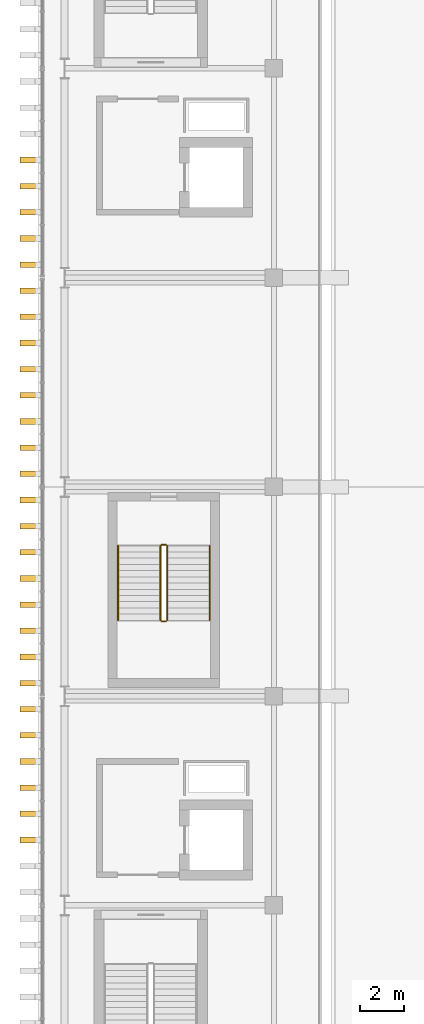
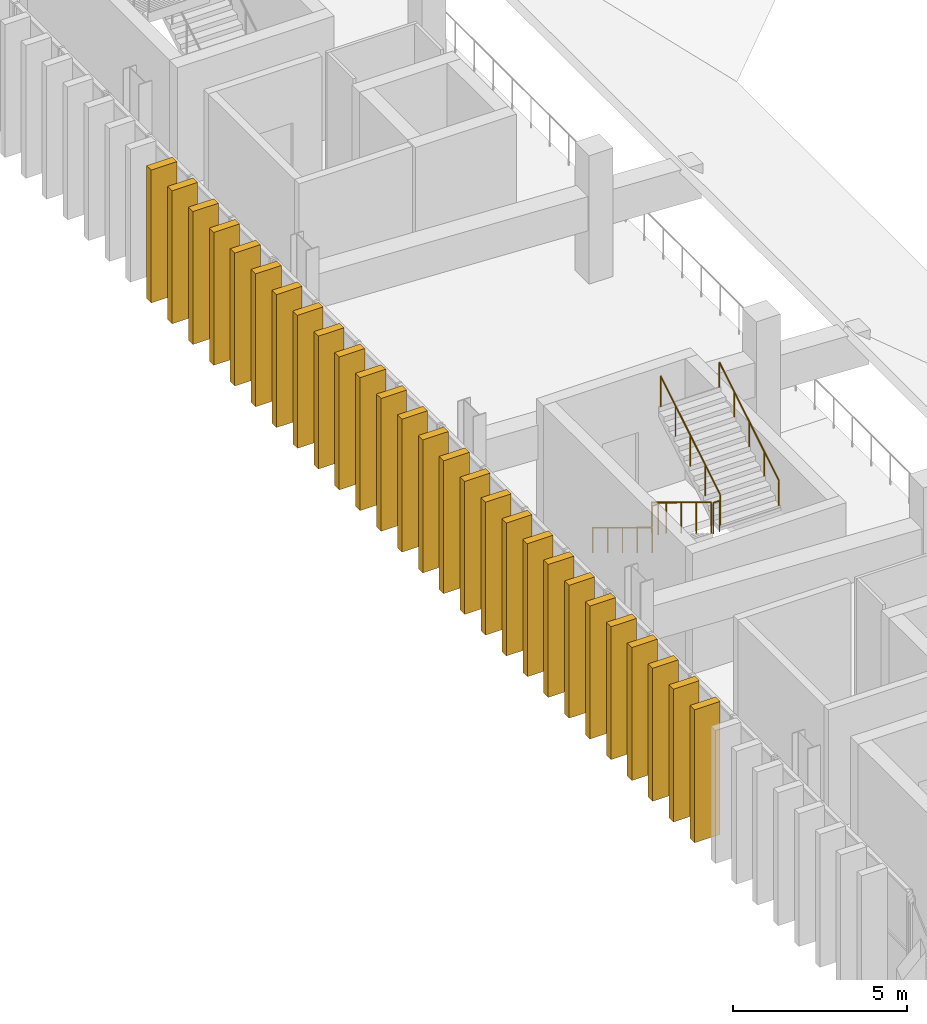
# One storey, part 57 of 69: 27 coverings, 6 railings.
"""IFC4 building model written with IfcOpenShell, lengths in metres."""

from ifc_helpers import new_model, si_unit, direction, frame, origin, origin_2d, place, context, subcontext, project, spatial, rectangle, circle, extrude, material, material_profile, profile_set, type_object, element, save


model = new_model("IFC4")

# Units and contexts
model_context = context("Model", 3, precision=1e-05, world=origin(), true_north=direction((0.0, 1.0)))
body_context = subcontext(model_context, "Body", "Model", "MODEL_VIEW")
ifc_project = project(units=[si_unit("LENGTHUNIT", "METRE"), si_unit("AREAUNIT", "SQUARE_METRE"), si_unit("VOLUMEUNIT", "CUBIC_METRE"), si_unit("PLANEANGLEUNIT", "RADIAN"), si_unit("MASSUNIT", "GRAM", prefix="KILO")], contexts=[model_context])

# Site, building, storey
site_placement = place(None, origin())
site = spatial("IfcSite", under=ifc_project, at=site_placement, CompositionType="ELEMENT")
building_placement = place(site_placement, origin())
building = spatial("IfcBuilding", under=site, at=building_placement, Name="Caelomonte Colonnade Arena", CompositionType="ELEMENT")
storey_placement = place(building_placement, frame((0.0, 0.0, 18.60009765625)))
storey = spatial("IfcBuildingStorey", under=building, at=storey_placement, Name="L04", CompositionType="ELEMENT", Elevation=18.60009765625)

# Coverings
ifc_material_1 = material(Name="Precast travertine cladding", Category="masonry")
ifc_material_profile = material_profile(ifc_material_1, rectangle(XDim=0.260009765625, YDim=0.85009765625, at=origin_2d()), Name="FIN260X850")
ifc_profile_set = profile_set([ifc_material_profile], Name="Precast travertine cladding")
covering_type = type_object("IfcCoveringType", Name="ENV-FN-SHAFT", PredefinedType="CLADDING", material=ifc_profile_set)
for number, where, z_axis, x_axis, name in (
    (1, (55.97900390625, 82.199951171875, -0.16015625), (0.0, 0.0, 1.0), (0.0, 1.0, 0.0), "V1 L04 classical travertine vertical fin 180"),
    (2, (55.97900390625, 81.0, -0.16015625), (0.0, 0.0, 1.0), (0.0, 1.0, 0.0), "V1 L04 classical travertine vertical fin 181"),
    (3, (55.97900390625, 79.800048828125, -0.16015625), (0.0, 0.0, 1.0), (0.0, 1.0, 0.0), "V1 L04 classical travertine vertical fin 182"),
    (4, (55.97900390625, 78.60009765625, -0.16015625), (0.0, 0.0, 1.0), (0.0, 1.0, 0.0), "V1 L04 classical travertine vertical fin 183"),
    (5, (55.97900390625, 77.39990234375, -0.16015625), (0.0, 0.0, 1.0), (0.0, 1.0, 0.0), "V1 L04 classical travertine vertical fin 184"),
    (6, (55.97900390625, 76.199951171875, -0.16015625), (0.0, 0.0, 1.0), (0.0, 1.0, 0.0), "V1 L04 classical travertine vertical fin 185"),
    (7, (55.97900390625, 75.0, -0.16015625), (0.0, 0.0, 1.0), (0.0, 1.0, 0.0), "V1 L04 classical travertine vertical fin 186"),
    (8, (55.97900390625, 73.800048828125, -0.16015625), (0.0, 0.0, 1.0), (0.0, 1.0, 0.0), "V1 L04 classical travertine vertical fin 187"),
    (9, (55.97900390625, 72.60009765625, -0.16015625), (0.0, 0.0, 1.0), (0.0, 1.0, 0.0), "V1 L04 classical travertine vertical fin 188"),
    (10, (55.97900390625, 71.39990234375, -0.16015625), (0.0, 0.0, 1.0), (0.0, 1.0, 0.0), "V1 L04 classical travertine vertical fin 189"),
    (11, (55.97900390625, 70.199951171875, -0.16015625), (0.0, 0.0, 1.0), (0.0, 1.0, 0.0), "V1 L04 classical travertine vertical fin 190"),
    (12, (55.97900390625, 69.0, -0.16015625), (0.0, 0.0, 1.0), (0.0, 1.0, 0.0), "V1 L04 classical travertine vertical fin 191"),
    (13, (55.97900390625, 67.800048828125, -0.16015625), (0.0, 0.0, 1.0), (0.0, 1.0, 0.0), "V1 L04 classical travertine vertical fin 192"),
    (14, (55.97900390625, 66.60009765625, -0.16015625), (0.0, 0.0, 1.0), (0.0, 1.0, 0.0), "V1 L04 classical travertine vertical fin 193"),
    (15, (55.97900390625, 65.39990234375, -0.16015625), (0.0, 0.0, 1.0), (0.0, 1.0, 0.0), "V1 L04 classical travertine vertical fin 194"),
    (16, (55.97900390625, 64.199951171875, -0.16015625), (0.0, 0.0, 1.0), (0.0, 1.0, 0.0), "V1 L04 classical travertine vertical fin 195"),
    (17, (55.97900390625, 63.0, -0.16015625), (0.0, 0.0, 1.0), (0.0, 1.0, 0.0), "V1 L04 classical travertine vertical fin 196"),
    (18, (55.97900390625, 61.800048828125, -0.16015625), (0.0, 0.0, 1.0), (0.0, 1.0, 0.0), "V1 L04 classical travertine vertical fin 197"),
    (19, (55.97900390625, 60.60009765625, -0.16015625), (0.0, 0.0, 1.0), (0.0, 1.0, 0.0), "V1 L04 classical travertine vertical fin 198"),
    (20, (55.97900390625, 59.39990234375, -0.16015625), (0.0, 0.0, 1.0), (0.0, 1.0, 0.0), "V1 L04 classical travertine vertical fin 199"),
    (21, (55.97900390625, 58.199951171875, -0.16015625), (0.0, 0.0, 1.0), (0.0, 1.0, 0.0), "V1 L04 classical travertine vertical fin 200"),
    (22, (55.97900390625, 57.0, -0.16015625), (0.0, 0.0, 1.0), (0.0, 1.0, 0.0), "V1 L04 classical travertine vertical fin 201"),
    (23, (55.97900390625, 55.800048828125, -0.16015625), (0.0, 0.0, 1.0), (0.0, 1.0, 0.0), "V1 L04 classical travertine vertical fin 202"),
    (24, (55.97900390625, 54.60009765625, -0.16015625), (0.0, 0.0, 1.0), (0.0, 1.0, 0.0), "V1 L04 classical travertine vertical fin 203"),
    (25, (55.97900390625, 53.39990234375, -0.16015625), (0.0, 0.0, 1.0), (0.0, 1.0, 0.0), "V1 L04 classical travertine vertical fin 204"),
    (26, (55.97900390625, 52.199951171875, -0.16015625), (0.0, 0.0, 1.0), (0.0, 1.0, 0.0), "V1 L04 classical travertine vertical fin 205"),
    (27, (55.97900390625, 51.0, -0.16015625), (0.0, 0.0, 1.0), (0.0, 1.0, 0.0), "V1 L04 classical travertine vertical fin 206"),
):
    element("IfcCovering", number, at=place(storey_placement, frame(where, z_axis=z_axis, x_axis=x_axis)), inside=storey, type_object=covering_type, Name=name, PredefinedType="CLADDING", context=body_context, shape_type="SweptSolid", body=[
        extrude(rectangle(XDim=0.260009765625, YDim=0.85009765625, at=origin_2d()), origin(), (0.0, 0.0, 1.0), 4.66015625),
    ])

# Railings
ifc_material_2 = material(Name="Painted galvanized steel stair guard", Category="steel")
railing_type_1 = type_object("IfcRailingType", Name="INT-RL-GRD", PredefinedType="GUARDRAIL", material=ifc_material_2)
railing_1_placement = place(storey_placement, frame((62.0, 64.5, 0.173095703125)))
element("IfcRailing", 28, at=railing_1_placement, inside=storey, type_object=railing_type_1, Name="L04 ST-09 stair guard 1", PredefinedType="GUARDRAIL", context=body_context, shape_type="SweptSolid", body=[
    extrude(circle(Radius=0.02392578125, at=origin_2d()), frame((0.0, 0.0, 1.076171875), z_axis=(0.0, -0.854729506542, 0.519073665916), x_axis=(1.0, 0.0, 0.0)), (0.0, 0.0, 1.0), 4.001220703125),
    extrude(circle(Radius=0.02099609375, at=origin_2d()), origin(), (0.0, 0.0, 1.0), 1.048095703125),
    extrude(circle(Radius=0.02099609375, at=origin_2d()), frame((0.0, -0.85498046875, 0.519287109375)), (0.0, 0.0, 1.0), 1.048095703125),
    extrude(circle(Radius=0.02099609375, at=origin_2d()), frame((0.0, -1.7099609375, 1.03857421875)), (0.0, 0.0, 1.0), 1.048095703125),
    extrude(circle(Radius=0.02099609375, at=origin_2d()), frame((0.0, -2.56494140625, 1.5576171875)), (0.0, 0.0, 1.0), 1.048095703125),
    extrude(circle(Radius=0.02099609375, at=origin_2d()), frame((0.0, -3.419921875, 2.076904296875)), (0.0, 0.0, 1.0), 1.048095703125),
])
railing_2_placement = place(storey_placement, frame((62.050048828125, 61.030029296875, 2.25)))
element("IfcRailing", 29, at=railing_2_placement, inside=storey, type_object=railing_type_1, Name="L04 ST-09 stair guard 2", PredefinedType="GUARDRAIL", context=body_context, shape_type="SweptSolid", body=[
    extrude(circle(Radius=0.02392578125, at=origin_2d()), frame((0.0, 0.0, 1.076171875), z_axis=(1.0, 0.0, 0.0), x_axis=(0.0, 1.0, 0.0)), (0.0, 0.0, 1.0), 0.199951171875),
    extrude(circle(Radius=0.02099609375, at=origin_2d()), origin(), (0.0, 0.0, 1.0), 1.048095703125),
    extrude(circle(Radius=0.02099609375, at=origin_2d()), frame((0.199951171875, 0.0, 0.0)), (0.0, 0.0, 1.0), 1.048095703125),
])
railing_3_placement = place(storey_placement, frame((62.300048828125, 61.080078125, 2.423095703125)))
element("IfcRailing", 30, at=railing_3_placement, inside=storey, type_object=railing_type_1, Name="L04 ST-09 stair guard 3", PredefinedType="GUARDRAIL", context=body_context, shape_type="SweptSolid", body=[
    extrude(circle(Radius=0.02392578125, at=origin_2d()), frame((0.0, 0.0, 1.076171875), z_axis=(0.0, 0.854729506542, 0.519073665916), x_axis=(-1.0, 0.0, 0.0)), (0.0, 0.0, 1.0), 4.001220703125),
    extrude(circle(Radius=0.02099609375, at=origin_2d()), origin(), (0.0, 0.0, 1.0), 1.048095703125),
    extrude(circle(Radius=0.02099609375, at=origin_2d()), frame((0.0, 0.85498046875, 0.519287109375)), (0.0, 0.0, 1.0), 1.048095703125),
    extrude(circle(Radius=0.02099609375, at=origin_2d()), frame((0.0, 1.7099609375, 1.03857421875)), (0.0, 0.0, 1.0), 1.048095703125),
    extrude(circle(Radius=0.02099609375, at=origin_2d()), frame((0.0, 2.56494140625, 1.5576171875)), (0.0, 0.0, 1.0), 1.048095703125),
    extrude(circle(Radius=0.02099609375, at=origin_2d()), frame((0.0, 3.419921875, 2.076904296875)), (0.0, 0.0, 1.0), 1.048095703125),
])
railing_4_placement = place(storey_placement, frame((62.050048828125, 64.550048828125, 0.0)))
element("IfcRailing", 31, at=railing_4_placement, inside=storey, type_object=railing_type_1, Name="L04 ST-09 stair guard 4", PredefinedType="GUARDRAIL", context=body_context, shape_type="SweptSolid", body=[
    extrude(circle(Radius=0.02392578125, at=origin_2d()), frame((0.0, 0.0, 1.076171875), z_axis=(1.0, 0.0, 0.0), x_axis=(0.0, 1.0, 0.0)), (0.0, 0.0, 1.0), 0.199951171875),
    extrude(circle(Radius=0.02099609375, at=origin_2d()), origin(), (0.0, 0.0, 1.0), 1.048095703125),
    extrude(circle(Radius=0.02099609375, at=origin_2d()), frame((0.199951171875, 0.0, 0.0)), (0.0, 0.0, 1.0), 1.048095703125),
])
ifc_material_3 = material(Name="Brushed stainless steel stair handrail", Category="steel")
railing_type_2 = type_object("IfcRailingType", Name="INT-RL-HR", PredefinedType="HANDRAIL", material=ifc_material_3)
railing_5_placement = place(storey_placement, frame((60.050048828125, 64.5, 0.173095703125)))
element("IfcRailing", 32, at=railing_5_placement, inside=storey, type_object=railing_type_2, Name="L04 ST-09 stair handrail 1", PredefinedType="HANDRAIL", context=body_context, shape_type="SweptSolid", body=[
    extrude(circle(Radius=0.02392578125, at=origin_2d()), frame((0.0, 0.0, 0.8759765625), z_axis=(0.0, -0.854729506542, 0.519073665916), x_axis=(1.0, 0.0, 0.0)), (0.0, 0.0, 1.0), 4.001220703125),
    extrude(circle(Radius=0.02099609375, at=origin_2d()), origin(), (0.0, 0.0, 1.0), 0.847900390625),
    extrude(circle(Radius=0.02099609375, at=origin_2d()), frame((0.0, -0.85498046875, 0.519287109375)), (0.0, 0.0, 1.0), 0.847900390625),
    extrude(circle(Radius=0.02099609375, at=origin_2d()), frame((0.0, -1.7099609375, 1.03857421875)), (0.0, 0.0, 1.0), 0.847900390625),
    extrude(circle(Radius=0.02099609375, at=origin_2d()), frame((0.0, -2.56494140625, 1.5576171875)), (0.0, 0.0, 1.0), 0.847900390625),
    extrude(circle(Radius=0.02099609375, at=origin_2d()), frame((0.0, -3.419921875, 2.076904296875)), (0.0, 0.0, 1.0), 0.847900390625),
])
railing_6_placement = place(storey_placement, frame((64.25, 61.080078125, 2.423095703125)))
element("IfcRailing", 33, at=railing_6_placement, inside=storey, type_object=railing_type_2, Name="L04 ST-09 stair handrail 2", PredefinedType="HANDRAIL", context=body_context, shape_type="SweptSolid", body=[
    extrude(circle(Radius=0.02392578125, at=origin_2d()), frame((0.0, 0.0, 0.8759765625), z_axis=(0.0, 0.854729506542, 0.519073665916), x_axis=(-1.0, 0.0, 0.0)), (0.0, 0.0, 1.0), 4.001220703125),
    extrude(circle(Radius=0.02099609375, at=origin_2d()), origin(), (0.0, 0.0, 1.0), 0.847900390625),
    extrude(circle(Radius=0.02099609375, at=origin_2d()), frame((0.0, 0.85498046875, 0.519287109375)), (0.0, 0.0, 1.0), 0.847900390625),
    extrude(circle(Radius=0.02099609375, at=origin_2d()), frame((0.0, 1.7099609375, 1.03857421875)), (0.0, 0.0, 1.0), 0.847900390625),
    extrude(circle(Radius=0.02099609375, at=origin_2d()), frame((0.0, 2.56494140625, 1.5576171875)), (0.0, 0.0, 1.0), 0.847900390625),
    extrude(circle(Radius=0.02099609375, at=origin_2d()), frame((0.0, 3.419921875, 2.076904296875)), (0.0, 0.0, 1.0), 0.847900390625),
])

save(model, "model.ifc")
